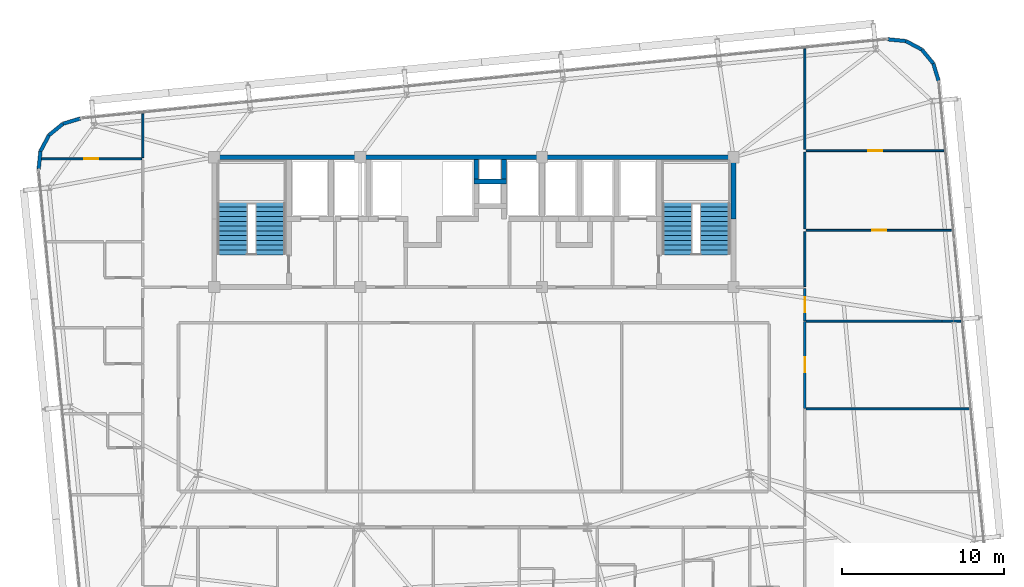
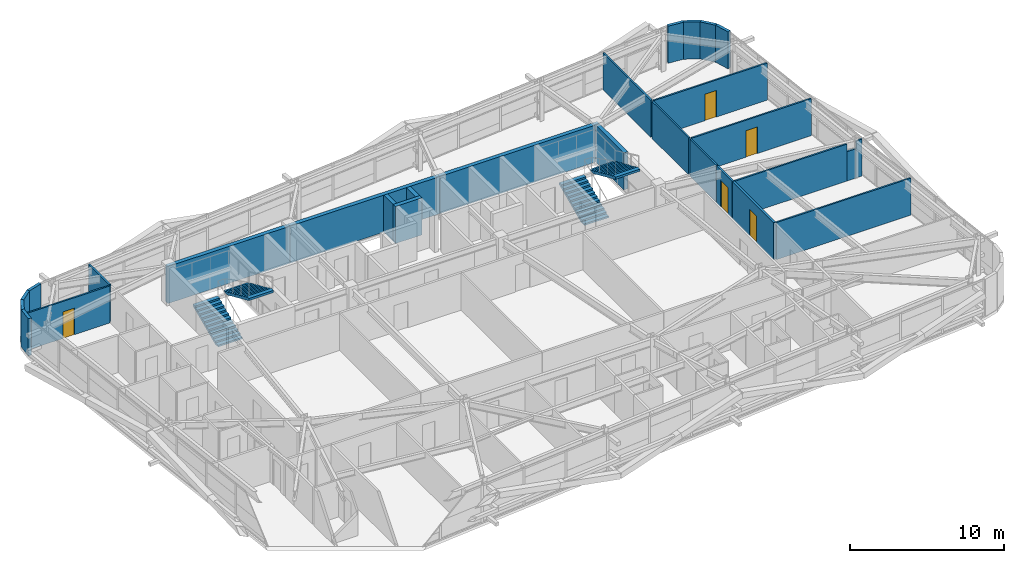
# One storey, part 50 of 53: 28 walls, 5 doors, 4 stair flights, 5 openings, 2 elements without a shape of their own.
"""IFC4 building model written with IfcOpenShell, lengths in metres."""

from ifc_helpers import new_model, si_unit, direction, frame, frame_2d, origin, place, context, subcontext, project, spatial, polyline, rectangle, outline, extrude, source, transform, mapped, material, layer, layer_set, type_object, element, fill, aggregate, save


model = new_model("IFC4")

# Units and contexts
model_context = context("Model", 3, precision=1e-05, world=origin(), true_north=direction((0.0, 1.0)))
body_context = subcontext(model_context, "Body", "Model", "MODEL_VIEW")
ifc_project = project(units=[si_unit("LENGTHUNIT", "METRE"), si_unit("AREAUNIT", "SQUARE_METRE"), si_unit("VOLUMEUNIT", "CUBIC_METRE"), si_unit("PLANEANGLEUNIT", "RADIAN"), si_unit("MASSUNIT", "GRAM", prefix="KILO")], contexts=[model_context])

# Site, building, storey
site_placement = place(None, origin())
site = spatial("IfcSite", under=ifc_project, at=site_placement, CompositionType="ELEMENT")
building_placement = place(site_placement, origin())
building = spatial("IfcBuilding", under=site, at=building_placement, Name="Taldren Reach Tower", CompositionType="ELEMENT")
storey_placement = place(building_placement, frame((0.0, 0.0, 68.25)))
storey = spatial("IfcBuildingStorey", under=building, at=storey_placement, Name="L20", CompositionType="ELEMENT", Elevation=68.25)

# Walls
ifc_material_1 = material(Name="Pale Champagne Anodised Aluminium Cladding", Category="aluminium")
ifc_layer_1 = layer(ifc_material_1, 0.04, Name="Pale Champagne Anodised Aluminium Cladding", Category="aluminium")
ifc_material_2 = material(Name="Mineral Wool Acoustic Insulation", Category="insulation")
ifc_layer_2 = layer(ifc_material_2, 0.06, Name="Mineral Wool Acoustic Insulation", Category="insulation")
ifc_material_3 = material(Name="Steel Gr 350 (C350L0)", Category="steel")
ifc_layer_3 = layer(ifc_material_3, 0.12, Name="Steel Gr 350 (C350L0)", Category="steel")
ifc_layer_set_1 = layer_set([ifc_layer_1, ifc_layer_2, ifc_layer_3], Name="Pale Champagne Aluminium Cladding and Steel Gr 350 Stud Framing")
wall_type_1 = type_object("IfcWallType", Name="EW-CRN-220", PredefinedType="SOLIDWALL", material=ifc_layer_set_1)
shared_shape_1 = source(origin(), body_context, "Body", "SweptSolid", [
    extrude(rectangle(XDim=1.115966796875, YDim=0.219970703125, at=frame_2d((0.55810546875, 0.0))), origin(), (0.0, 0.0, 1.0), 2.929931640625),
])
for number, where, z_axis, x_axis, name in (
    (1, (63.6376953125, 36.6982421875, 0.0), (0.0, 0.0, 1.0), (-0.289855603468, 0.957070388811, 0.0), "Rounded-corner pale-metal facade wall L20-NE1"),
    (2, (62.606689453125, 38.629150390625, 0.0), (0.0, 0.0, 1.0), (-0.881655534635, 0.471893545461, 0.0), "Rounded-corner pale-metal facade wall L20-NE3"),
    (3, (61.622802734375, 39.15576171875, 0.0), (0.0, 0.0, 1.0), (-0.995142755671, 0.09844234778, 0.0), "Rounded-corner pale-metal facade wall L20-NE4"),
    (4, (10.7509765625, 34.386474609375, 0.0), (0.0, 0.0, 1.0), (-0.957070388811, -0.289855603468, 0.0), "Rounded-corner pale-metal facade wall L20-NW1"),
):
    element("IfcWall", number, at=place(storey_placement, frame(where, z_axis=z_axis, x_axis=x_axis)), inside=storey, type_object=wall_type_1, Name=name, PredefinedType="SOLIDWALL", context=body_context, shape_type="MappedRepresentation", body=[
        mapped(shared_shape_1, transform((0.0, 0.0, 0.0), scale=1.0)),
    ])
shared_shape_2 = source(origin(), body_context, "Body", "SweptSolid", [
    extrude(rectangle(XDim=1.11572265625, YDim=0.219970703125, at=frame_2d((0.557861328125, 0.0))), origin(), (0.0, 0.0, 1.0), 2.929931640625),
])
for number, where, z_axis, x_axis, name in (
    (5, (63.314208984375, 37.766357421875, 0.0), (0.0, 0.0, 1.0), (-0.634095287989, 0.773254916409, 0.0), "Rounded-corner pale-metal facade wall L20-NE2"),
    (6, (9.682861328125, 34.06298828125, 0.0), (0.0, 0.0, 1.0), (-0.773254916409, -0.634095287989, 0.0), "Rounded-corner pale-metal facade wall L20-NW2"),
    (7, (8.29345703125, 32.371337890625, 0.0), (0.0, 0.0, 1.0), (-0.098463783145, -0.99514063499, 0.0), "Rounded-corner pale-metal facade wall L20-NW4"),
):
    element("IfcWall", number, at=place(storey_placement, frame(where, z_axis=z_axis, x_axis=x_axis)), inside=storey, type_object=wall_type_1, Name=name, PredefinedType="SOLIDWALL", context=body_context, shape_type="MappedRepresentation", body=[
        mapped(shared_shape_2, transform((0.0, 0.0, 0.0), scale=1.0)),
    ])
shared_shape_3 = source(origin(), body_context, "Body", "SweptSolid", [
    extrude(rectangle(XDim=1.1162109375, YDim=0.219970703125, at=frame_2d((0.55810546875, 0.0))), origin(), (0.0, 0.0, 1.0), 2.929931640625),
])
wall_1_placement = place(storey_placement, frame((8.820068359375, 33.35546875, 0.0), z_axis=(0.0, 0.0, 1.0), x_axis=(-0.471802540493, -0.881704237704, 0.0)))
element("IfcWall", 8, at=wall_1_placement, inside=storey, type_object=wall_type_1, Name="Rounded-corner pale-metal facade wall L20-NW3", PredefinedType="SOLIDWALL", context=body_context, shape_type="MappedRepresentation", body=[
    mapped(shared_shape_3, transform((0.0, 0.0, 0.0), scale=1.0)),
])

# Wall, opening, door
ifc_material_4 = material(Name="Fire-Rated Acoustic Plasterboard Stud Wall", Category="gypsum")
ifc_layer_4 = layer(ifc_material_4, 0.159912109375)
ifc_layer_set_2 = layer_set([ifc_layer_4], Name="Fire-Rated Acoustic Plasterboard Stud Wall")
wall_type_2 = type_object("IfcWallType", Name="IW-FIRE-160", PredefinedType="PARTITIONING", material=ifc_layer_set_2)
shared_shape_4 = source(origin(), body_context, "Body", "SweptSolid", [
    extrude(rectangle(XDim=5.359619140625, YDim=0.159912109375, at=frame_2d((2.6796875, 0.0))), origin(), (0.0, 0.0, 1.0), 2.929931640625),
])
wall_2_placement = place(storey_placement, frame((55.39990234375, 21.8798828125, 0.0), z_axis=(0.0, 0.0, 1.0), x_axis=(0.0, -1.0, 0.0)))
wall_2 = element("IfcWall", 9, at=wall_2_placement, inside=storey, type_object=wall_type_2, Name="Interior Partition Wall W-INT-L20-061", PredefinedType="PARTITIONING", context=body_context, shape_type="MappedRepresentation", body=[
    mapped(shared_shape_4, transform((0.0, 0.0, 0.0), scale=1.0)),
])
shared_shape_5 = source(origin(), body_context, "Body", "SweptSolid", [
    extrude(rectangle(XDim=0.919921875, YDim=2.10009765625, at=frame_2d((0.4599609375, 1.050048828125))), frame((0.0, 0.08984375, 0.0), z_axis=(0.0, -1.0, 0.0), x_axis=(1.0, 0.0, 0.0)), (0.0, 0.0, 1.0), 0.179931640625),
])
opening_1_placement = place(wall_2_placement, frame((2.2197265625, 0.0, 0.0)))
opening_1 = element("IfcOpeningElement", 10, at=opening_1_placement, cuts=wall_2, Name="Opening DI-092", PredefinedType="OPENING", context=body_context, shape_type="MappedRepresentation", body=[
    mapped(shared_shape_5, transform((0.0, 0.0, 0.0), scale=1.0)),
])
ifc_material_5 = material(Name="Solid-Core Timber Suite Door", Category="wood")
door_type_1 = type_object("IfcDoorType", Name="ID-INT-092", OperationType="NOTDEFINED", PredefinedType="DOOR", material=ifc_material_5)
shared_shape_6 = source(origin(), body_context, "Body", "SweptSolid", [
    extrude(rectangle(XDim=0.919921875, YDim=2.10009765625, at=frame_2d((0.4599609375, 1.050048828125))), frame((0.0, 0.02490234375, 0.0), z_axis=(0.0, -1.0, 0.0), x_axis=(1.0, 0.0, 0.0)), (0.0, 0.0, 1.0), 0.050048828125),
])
door_1_placement = place(opening_1_placement, origin())
door_1 = element("IfcDoor", 11, at=door_1_placement, inside=storey, type_object=door_type_1, Name="Interior Door DR-L20-020", OperationType="SINGLE_SWING_LEFT", OverallHeight=2.10009765625, OverallWidth=0.919921875, PredefinedType="DOOR", context=body_context, shape_type="MappedRepresentation", body=[
    mapped(shared_shape_6, transform((0.0, 0.0, 0.0), scale=1.0)),
])
fill(opening_1, door_1)

shared_shape_7 = source(origin(), body_context, "Body", "SweptSolid", [
    extrude(rectangle(XDim=1.999755859375, YDim=0.159912109375, at=frame_2d((1.0, 0.0))), origin(), (0.0, 0.0, 1.0), 2.929931640625),
])
wall_3_placement = place(storey_placement, frame((55.39990234375, 23.919921875, 0.0), z_axis=(0.0, 0.0, 1.0), x_axis=(0.0, -1.0, 0.0)))
wall_3 = element("IfcWall", 12, at=wall_3_placement, inside=storey, type_object=wall_type_2, Name="Interior Partition Wall W-INT-L20-062", PredefinedType="PARTITIONING", context=body_context, shape_type="MappedRepresentation", body=[
    mapped(shared_shape_7, transform((0.0, 0.0, 0.0), scale=1.0)),
])
opening_2_placement = place(wall_3_placement, frame((0.539794921875, 0.0, 0.0)))
opening_2 = element("IfcOpeningElement", 13, at=opening_2_placement, cuts=wall_3, Name="Opening DI-092", PredefinedType="OPENING", context=body_context, shape_type="MappedRepresentation", body=[
    mapped(shared_shape_5, transform((0.0, 0.0, 0.0), scale=1.0)),
])
door_2_placement = place(opening_2_placement, origin())
door_2 = element("IfcDoor", 14, at=door_2_placement, inside=storey, type_object=door_type_1, Name="Interior Door DR-L20-021", OperationType="SINGLE_SWING_RIGHT", OverallHeight=2.10009765625, OverallWidth=0.919921875, PredefinedType="DOOR", context=body_context, shape_type="MappedRepresentation", body=[
    mapped(shared_shape_6, transform((0.0, 0.0, 0.0), scale=1.0)),
])
fill(opening_2, door_2)

# Walls
ifc_material_6 = material(Name="Insulated Residential Stud Partition", Category="gypsum")
ifc_layer_5 = layer(ifc_material_6, 0.1201171875)
ifc_layer_set_3 = layer_set([ifc_layer_5], Name="Insulated Residential Stud Partition")
wall_type_3 = type_object("IfcWallType", Name="IW-PART-120", PredefinedType="PARTITIONING", material=ifc_layer_set_3)
shared_shape_8 = source(origin(), body_context, "Body", "SweptSolid", [
    extrude(rectangle(XDim=4.739990234375, YDim=0.1201171875, at=frame_2d((2.3701171875, 0.0))), origin(), (0.0, 0.0, 1.0), 2.929931640625),
])
wall_4_placement = place(storey_placement, frame((55.39990234375, 27.580078125, 0.0), z_axis=(0.0, 0.0, 1.0), x_axis=(0.0, 1.0, 0.0)))
element("IfcWall", 15, at=wall_4_placement, inside=storey, type_object=wall_type_3, Name="Interior Partition Wall W-INT-L20-138", PredefinedType="PARTITIONING", context=body_context, shape_type="MappedRepresentation", body=[
    mapped(shared_shape_8, transform((0.0, 0.0, 0.0), scale=1.0)),
])
ifc_material_7 = material(Name="Concrete S65 (65 MPa)", Category="concrete")
ifc_layer_6 = layer(ifc_material_7, 0.300048828125)
ifc_layer_set_4 = layer_set([ifc_layer_6], Name="Concrete S65 (65 MPa)")
wall_type_4 = type_object("IfcWallType", Name="IW-CORE-300", PredefinedType="SHEAR", material=ifc_layer_set_4)
shared_shape_9 = source(origin(), body_context, "Body", "SweptSolid", [
    extrude(rectangle(XDim=9.14990234375, YDim=0.300048828125, at=frame_2d((4.574951171875, 0.0))), origin(), (0.0, 0.0, 1.0), 2.929931640625),
])
wall_5_placement = place(storey_placement, frame((18.85009765625, 32.0, 0.0), z_axis=(0.0, 0.0, 1.0), x_axis=(1.0, 0.0, 0.0)))
element("IfcWall", 16, at=wall_5_placement, inside=storey, type_object=wall_type_4, Name="Rear Core Shear Wall W-CORE-L20-NORTH1", PredefinedType="SHEAR", context=body_context, shape_type="MappedRepresentation", body=[
    mapped(shared_shape_9, transform((0.0, 0.0, 0.0), scale=1.0)),
])
shared_shape_10 = source(origin(), body_context, "Body", "SweptSolid", [
    extrude(rectangle(XDim=11.199951171875, YDim=0.300048828125, at=frame_2d((5.60009765625, 0.0))), origin(), (0.0, 0.0, 1.0), 2.929931640625),
])
wall_6_placement = place(storey_placement, frame((28.0, 32.0, 0.0), z_axis=(0.0, 0.0, 1.0), x_axis=(1.0, 0.0, 0.0)))
element("IfcWall", 17, at=wall_6_placement, inside=storey, type_object=wall_type_4, Name="Rear Core Shear Wall W-CORE-L20-NORTH2", PredefinedType="SHEAR", context=body_context, shape_type="MappedRepresentation", body=[
    mapped(shared_shape_10, transform((0.0, 0.0, 0.0), scale=1.0)),
])
shared_shape_11 = source(origin(), body_context, "Body", "SweptSolid", [
    extrude(rectangle(XDim=11.949951171875, YDim=0.300048828125, at=frame_2d((5.97509765625, 0.0))), origin(), (0.0, 0.0, 1.0), 2.929931640625),
])
wall_7_placement = place(storey_placement, frame((39.199951171875, 32.0, 0.0), z_axis=(0.0, 0.0, 1.0), x_axis=(1.0, 0.0, 0.0)))
element("IfcWall", 18, at=wall_7_placement, inside=storey, type_object=wall_type_4, Name="Rear Core Shear Wall W-CORE-L20-NORTH3", PredefinedType="SHEAR", context=body_context, shape_type="MappedRepresentation", body=[
    mapped(shared_shape_11, transform((0.0, 0.0, 0.0), scale=1.0)),
])
shared_shape_12 = source(origin(), body_context, "Body", "SweptSolid", [
    extrude(rectangle(XDim=3.650146484375, YDim=0.300048828125, at=frame_2d((1.8251953125, 0.0))), origin(), (0.0, 0.0, 1.0), 2.929931640625),
])
wall_8_placement = place(storey_placement, frame((51.0, 28.199951171875, 0.0), z_axis=(0.0, 0.0, 1.0), x_axis=(0.0, 1.0, 0.0)))
element("IfcWall", 19, at=wall_8_placement, inside=storey, type_object=wall_type_4, Name="Rear Core Shear Wall W-CORE-L20-EAST2", PredefinedType="SHEAR", context=body_context, shape_type="MappedRepresentation", body=[
    mapped(shared_shape_12, transform((0.0, 0.0, 0.0), scale=1.0)),
])
shared_shape_13 = source(origin(), body_context, "Body", "SweptSolid", [
    extrude(rectangle(XDim=2.0, YDim=0.300048828125, at=frame_2d((1.0, 0.0))), origin(), (0.0, 0.0, 1.0), 2.929931640625),
])
wall_9_placement = place(storey_placement, frame((35.0, 30.5, 0.0), z_axis=(0.0, 0.0, 1.0), x_axis=(1.0, 0.0, 0.0)))
element("IfcWall", 20, at=wall_9_placement, inside=storey, type_object=wall_type_4, Name="Rear Core Shear Wall W-INT-L20-015", PredefinedType="SHEAR", context=body_context, shape_type="MappedRepresentation", body=[
    mapped(shared_shape_13, transform((0.0, 0.0, 0.0), scale=1.0)),
])
shared_shape_14 = source(origin(), body_context, "Body", "SweptSolid", [
    extrude(rectangle(XDim=1.2001953125, YDim=0.300048828125, at=frame_2d((0.60009765625, 0.0))), origin(), (0.0, 0.0, 1.0), 2.929931640625),
])
for number, where, z_axis, x_axis, name in (
    (21, (35.14990234375, 31.85009765625, 0.0), (0.0, 0.0, 1.0), (0.0, -1.0, 0.0), "Rear Core Shear Wall W-INT-L20-016"),
    (22, (36.85009765625, 30.64990234375, 0.0), (0.0, 0.0, 1.0), (0.0, 1.0, 0.0), "Rear Core Shear Wall W-INT-L20-017"),
):
    element("IfcWall", number, at=place(storey_placement, frame(where, z_axis=z_axis, x_axis=x_axis)), inside=storey, type_object=wall_type_4, Name=name, PredefinedType="SHEAR", context=body_context, shape_type="MappedRepresentation", body=[
        mapped(shared_shape_14, transform((0.0, 0.0, 0.0), scale=1.0)),
    ])

# Wall, opening, door
shared_shape_15 = source(origin(), body_context, "Body", "SweptSolid", [
    extrude(rectangle(XDim=6.18798828125, YDim=0.1201171875, at=frame_2d((3.093994140625, 0.0))), origin(), (0.0, 0.0, 1.0), 2.929931640625),
])
wall_10_placement = place(storey_placement, frame((8.33203125, 31.89990234375, 0.0), z_axis=(0.0, 0.0, 1.0), x_axis=(1.0, 0.0, 0.0)))
wall_10 = element("IfcWall", 23, at=wall_10_placement, inside=storey, type_object=wall_type_3, Name="Interior Partition Wall W-INT-L20-129", PredefinedType="PARTITIONING", context=body_context, shape_type="MappedRepresentation", body=[
    mapped(shared_shape_15, transform((0.0, 0.0, 0.0), scale=1.0)),
])
shared_shape_16 = source(origin(), body_context, "Body", "SweptSolid", [
    extrude(rectangle(XDim=0.860107421875, YDim=2.10009765625, at=frame_2d((0.43017578125, 1.050048828125))), frame((0.0, 0.070068359375, 0.0), z_axis=(0.0, -1.0, 0.0), x_axis=(1.0, 0.0, 0.0)), (0.0, 0.0, 1.0), 0.14013671875),
])
opening_3_placement = place(wall_10_placement, frame((2.663818359375, 0.0, 0.0)))
opening_3 = element("IfcOpeningElement", 24, at=opening_3_placement, cuts=wall_10, Name="Opening DI-086", PredefinedType="OPENING", context=body_context, shape_type="MappedRepresentation", body=[
    mapped(shared_shape_16, transform((0.0, 0.0, 0.0), scale=1.0)),
])
ifc_material_8 = material(Name="Timber Bathroom Door", Category="wood")
door_type_2 = type_object("IfcDoorType", Name="ID-INT-086", OperationType="NOTDEFINED", PredefinedType="DOOR", material=ifc_material_8)
shared_shape_17 = source(origin(), body_context, "Body", "SweptSolid", [
    extrude(rectangle(XDim=0.860107421875, YDim=2.10009765625, at=frame_2d((0.43017578125, 1.050048828125))), frame((0.0, 0.02490234375, 0.0), z_axis=(0.0, -1.0, 0.0), x_axis=(1.0, 0.0, 0.0)), (0.0, 0.0, 1.0), 0.050048828125),
])
door_3_placement = place(opening_3_placement, origin())
door_3 = element("IfcDoor", 25, at=door_3_placement, inside=storey, type_object=door_type_2, Name="Interior Door DR-L20-039", OperationType="SINGLE_SWING_RIGHT", OverallHeight=2.10009765625, OverallWidth=0.860107421875, PredefinedType="DOOR", context=body_context, shape_type="MappedRepresentation", body=[
    mapped(shared_shape_17, transform((0.0, 0.0, 0.0), scale=1.0)),
])
fill(opening_3, door_3)

# Walls
shared_shape_18 = source(origin(), body_context, "Body", "SweptSolid", [
    extrude(rectangle(XDim=2.685546875, YDim=0.1201171875, at=frame_2d((1.3427734375, 0.0))), origin(), (0.0, 0.0, 1.0), 2.929931640625),
])
wall_11_placement = place(storey_placement, frame((14.60009765625, 34.66552734375, 0.0), z_axis=(0.0, 0.0, 1.0), x_axis=(0.0, -1.0, 0.0)))
element("IfcWall", 26, at=wall_11_placement, inside=storey, type_object=wall_type_3, Name="Interior Partition Wall W-INT-L20-131", PredefinedType="PARTITIONING", context=body_context, shape_type="MappedRepresentation", body=[
    mapped(shared_shape_18, transform((0.0, 0.0, 0.0), scale=1.0)),
])
shared_shape_19 = source(origin(), body_context, "Body", "SweptSolid", [
    extrude(rectangle(XDim=10.0556640625, YDim=0.1201171875, at=frame_2d((5.02783203125, 0.0))), origin(), (0.0, 0.0, 1.0), 2.929931640625),
])
wall_12_placement = place(storey_placement, frame((55.47998046875, 16.5, 0.0), z_axis=(0.0, 0.0, 1.0), x_axis=(1.0, 0.0, 0.0)))
element("IfcWall", 27, at=wall_12_placement, inside=storey, type_object=wall_type_3, Name="Interior Partition Wall W-INT-L20-133", PredefinedType="PARTITIONING", context=body_context, shape_type="MappedRepresentation", body=[
    mapped(shared_shape_19, transform((0.0, 0.0, 0.0), scale=1.0)),
])
shared_shape_20 = source(origin(), body_context, "Body", "SweptSolid", [
    extrude(rectangle(XDim=8.37890625, YDim=0.1201171875, at=frame_2d((4.189453125, 0.0))), origin(), (0.0, 0.0, 1.0), 2.929931640625),
])
wall_13_placement = place(storey_placement, frame((55.47998046875, 21.89990234375, 0.0), z_axis=(0.0, 0.0, 1.0), x_axis=(1.0, 0.0, 0.0)))
element("IfcWall", 28, at=wall_13_placement, inside=storey, type_object=wall_type_3, Name="Interior Partition Wall W-INT-L20-134", PredefinedType="PARTITIONING", context=body_context, shape_type="MappedRepresentation", body=[
    mapped(shared_shape_20, transform((0.0, 0.0, 0.0), scale=1.0)),
])
shared_shape_21 = source(origin(), body_context, "Body", "SweptSolid", [
    extrude(rectangle(XDim=0.709228515625, YDim=0.1201171875, at=frame_2d((0.3544921875, 0.0))), origin(), (0.0, 0.0, 1.0), 2.327880859375),
])
wall_14_placement = place(storey_placement, frame((63.85888671875, 21.89990234375, 0.0), z_axis=(0.0, 0.0, 1.0), x_axis=(1.0, 0.0, 0.0)))
element("IfcWall", 29, at=wall_14_placement, inside=storey, type_object=wall_type_3, Name="Interior Partition Wall W-INT-L20-134 part 2", PredefinedType="PARTITIONING", context=body_context, shape_type="MappedRepresentation", body=[
    mapped(shared_shape_21, transform((0.0, 0.0, 0.0), scale=1.0)),
])
shared_shape_22 = source(origin(), body_context, "Body", "SweptSolid", [
    extrude(rectangle(XDim=0.43798828125, YDim=0.1201171875, at=frame_2d((0.218994140625, 0.0))), origin(), (0.0, 0.0, 1.0), 2.929931640625),
])
wall_15_placement = place(storey_placement, frame((64.568115234375, 21.89990234375, 0.0), z_axis=(0.0, 0.0, 1.0), x_axis=(1.0, 0.0, 0.0)))
element("IfcWall", 30, at=wall_15_placement, inside=storey, type_object=wall_type_3, Name="Interior Partition Wall W-INT-L20-134 part 3", PredefinedType="PARTITIONING", context=body_context, shape_type="MappedRepresentation", body=[
    mapped(shared_shape_22, transform((0.0, 0.0, 0.0), scale=1.0)),
])

# Wall, opening, door
shared_shape_23 = source(origin(), body_context, "Body", "SweptSolid", [
    extrude(rectangle(XDim=8.97705078125, YDim=0.1201171875, at=frame_2d((4.488525390625, 0.0))), origin(), (0.0, 0.0, 1.0), 2.929931640625),
])
wall_16_placement = place(storey_placement, frame((55.47998046875, 27.5, 0.0), z_axis=(0.0, 0.0, 1.0), x_axis=(1.0, 0.0, 0.0)))
wall_16 = element("IfcWall", 31, at=wall_16_placement, inside=storey, type_object=wall_type_3, Name="Interior Partition Wall W-INT-L20-135", PredefinedType="PARTITIONING", context=body_context, shape_type="MappedRepresentation", body=[
    mapped(shared_shape_23, transform((0.0, 0.0, 0.0), scale=1.0)),
])
opening_4_placement = place(wall_16_placement, frame((4.05859375, 0.0, 0.0)))
opening_4 = element("IfcOpeningElement", 32, at=opening_4_placement, cuts=wall_16, Name="Opening DI-086", PredefinedType="OPENING", context=body_context, shape_type="MappedRepresentation", body=[
    mapped(shared_shape_16, transform((0.0, 0.0, 0.0), scale=1.0)),
])
door_4_placement = place(opening_4_placement, origin())
door_4 = element("IfcDoor", 33, at=door_4_placement, inside=storey, type_object=door_type_2, Name="Interior Door DR-L20-040", OperationType="SINGLE_SWING_LEFT", OverallHeight=2.10009765625, OverallWidth=0.860107421875, PredefinedType="DOOR", context=body_context, shape_type="MappedRepresentation", body=[
    mapped(shared_shape_17, transform((0.0, 0.0, 0.0), scale=1.0)),
])
fill(opening_4, door_4)

# Wall
shared_shape_24 = source(origin(), body_context, "Body", "SweptSolid", [
    extrude(rectangle(XDim=3.399658203125, YDim=0.1201171875, at=frame_2d((1.69970703125, 0.0))), origin(), (0.0, 0.0, 1.0), 2.929931640625),
])
wall_17_placement = place(storey_placement, frame((55.39990234375, 24.020263671875, 0.0), z_axis=(0.0, 0.0, 1.0), x_axis=(0.0, 1.0, 0.0)))
element("IfcWall", 34, at=wall_17_placement, inside=storey, type_object=wall_type_3, Name="Interior Partition Wall W-INT-L20-136", PredefinedType="PARTITIONING", context=body_context, shape_type="MappedRepresentation", body=[
    mapped(shared_shape_24, transform((0.0, 0.0, 0.0), scale=1.0)),
])

# Wall, opening, door
shared_shape_25 = source(origin(), body_context, "Body", "SweptSolid", [
    extrude(rectangle(XDim=8.49658203125, YDim=0.1201171875, at=frame_2d((4.248291015625, 0.0))), origin(), (0.0, 0.0, 1.0), 2.929931640625),
])
wall_18_placement = place(storey_placement, frame((55.47998046875, 32.39990234375, 0.0), z_axis=(0.0, 0.0, 1.0), x_axis=(1.0, 0.0, 0.0)))
wall_18 = element("IfcWall", 35, at=wall_18_placement, inside=storey, type_object=wall_type_3, Name="Interior Partition Wall W-INT-L20-137", PredefinedType="PARTITIONING", context=body_context, shape_type="MappedRepresentation", body=[
    mapped(shared_shape_25, transform((0.0, 0.0, 0.0), scale=1.0)),
])
opening_5_placement = place(wall_18_placement, frame((3.818359375, 0.0, 0.0)))
opening_5 = element("IfcOpeningElement", 36, at=opening_5_placement, cuts=wall_18, Name="Opening DI-086", PredefinedType="OPENING", context=body_context, shape_type="MappedRepresentation", body=[
    mapped(shared_shape_16, transform((0.0, 0.0, 0.0), scale=1.0)),
])
door_5_placement = place(opening_5_placement, frame((0.860107421875, 0.0, 0.0), z_axis=(0.0, 0.0, 1.0), x_axis=(-1.0, 0.0, 0.0)))
door_5 = element("IfcDoor", 37, at=door_5_placement, inside=storey, type_object=door_type_2, Name="Interior Door DR-L20-041", OperationType="SINGLE_SWING_LEFT", OverallHeight=2.10009765625, OverallWidth=0.860107421875, PredefinedType="DOOR", context=body_context, shape_type="MappedRepresentation", body=[
    mapped(shared_shape_17, transform((0.0, 0.0, 0.0), scale=1.0)),
])
fill(opening_5, door_5)

# Wall
shared_shape_26 = source(origin(), body_context, "Body", "SweptSolid", [
    extrude(rectangle(XDim=6.20166015625, YDim=0.1201171875, at=frame_2d((3.100830078125, 0.0))), origin(), (0.0, 0.0, 1.0), 2.929931640625),
])
wall_19_placement = place(storey_placement, frame((55.39990234375, 32.47998046875, 0.0), z_axis=(0.0, 0.0, 1.0), x_axis=(0.0, 1.0, 0.0)))
element("IfcWall", 38, at=wall_19_placement, inside=storey, type_object=wall_type_3, Name="Interior Partition Wall W-INT-L20-139", PredefinedType="PARTITIONING", context=body_context, shape_type="MappedRepresentation", body=[
    mapped(shared_shape_26, transform((0.0, 0.0, 0.0), scale=1.0)),
])

# Stair, stair flights
ifc_material_9 = material(Name="Concrete S50 (50 MPa)", Category="concrete")
stair_type = type_object("IfcStairType", Name="ST-HT-315", PredefinedType="HALF_TURN_STAIR", material=ifc_material_9)
stair_1_placement = place(storey_placement, origin())
stair_1 = element("IfcStair", 39, at=stair_1_placement, inside=storey, type_object=stair_type, Name="Fire-isolated exit stair ST1 L20", PredefinedType="HALF_TURN_STAIR")
stair_flight_type = type_object("IfcStairFlightType", Name="SF-STR-315", PredefinedType="STRAIGHT", material=ifc_material_9)
stair_flight_1_placement = place(storey_placement, frame((20.139892578125, 25.989990234375, 0.0), z_axis=(0.0, 0.0, 1.0), x_axis=(0.0, 1.0, 0.0)))
stair_flight_1 = element("IfcStairFlight", 40, at=stair_flight_1_placement, type_object=stair_flight_type, Name="ST1 flight 1", NumberOfRisers=12, NumberOfTreads=11, PredefinedType="STRAIGHT", RiserHeight=0.13125, TreadLength=0.295, context=body_context, shape_type="SweptSolid", body=[
    extrude(outline(polyline([(0.0, 0.0), (0.0, 0.13134765625), (0.294921875, 0.13134765625), (0.294921875, 0.262451171875), (0.590087890625, 0.262451171875), (0.590087890625, 0.393798828125), (0.885009765625, 0.393798828125), (0.885009765625, 0.52490234375), (1.179931640625, 0.52490234375), (1.179931640625, 0.65625), (1.47509765625, 0.65625), (1.47509765625, 0.78759765625), (1.77001953125, 0.78759765625), (1.77001953125, 0.918701171875), (2.06494140625, 0.918701171875), (2.06494140625, 1.050048828125), (2.360107421875, 1.050048828125), (2.360107421875, 1.18115234375), (2.655029296875, 1.18115234375), (2.655029296875, 1.3125), (2.949951171875, 1.3125), (2.949951171875, 1.44384765625), (3.2451171875, 1.44384765625), (3.2451171875, 1.574951171875), (3.2451171875, 1.268798828125), (0.393310546875, 0.0), (0.0, 0.0)])), frame((0.0, 0.919921875, 0.0), z_axis=(0.0, -1.0, 0.0), x_axis=(1.0, 0.0, 0.0)), (0.0, 0.0, 1.0), 1.840087890625),
])
stair_flight_2_placement = place(storey_placement, frame((22.4599609375, 29.235107421875, 1.574951171875), z_axis=(0.0, 0.0, 1.0), x_axis=(0.0, -1.0, 0.0)))
stair_flight_2 = element("IfcStairFlight", 41, at=stair_flight_2_placement, type_object=stair_flight_type, Name="ST1 flight 2", NumberOfRisers=12, NumberOfTreads=11, PredefinedType="STRAIGHT", RiserHeight=0.13125, TreadLength=0.295, context=body_context, shape_type="SweptSolid", body=[
    extrude(outline(polyline([(0.0, 0.0), (0.0, 0.13134765625), (0.294921875, 0.13134765625), (0.294921875, 0.262451171875), (0.590087890625, 0.262451171875), (0.590087890625, 0.393798828125), (0.885009765625, 0.393798828125), (0.885009765625, 0.52490234375), (1.179931640625, 0.52490234375), (1.179931640625, 0.65625), (1.47509765625, 0.65625), (1.47509765625, 0.78759765625), (1.77001953125, 0.78759765625), (1.77001953125, 0.918701171875), (2.06494140625, 0.918701171875), (2.06494140625, 1.050048828125), (2.360107421875, 1.050048828125), (2.360107421875, 1.18115234375), (2.655029296875, 1.18115234375), (2.655029296875, 1.3125), (2.949951171875, 1.3125), (2.949951171875, 1.44384765625), (3.2451171875, 1.44384765625), (3.2451171875, 1.574951171875), (3.2451171875, 1.268798828125), (0.393310546875, 0.0), (0.0, 0.0)])), frame((0.0, 0.919921875, 0.0), z_axis=(0.0, -1.0, 0.0), x_axis=(1.0, 0.0, 0.0)), (0.0, 0.0, 1.0), 1.840087890625),
])
aggregate(stair_1, [stair_flight_1, stair_flight_2])

stair_2_placement = place(storey_placement, origin())
stair_2 = element("IfcStair", 42, at=stair_2_placement, inside=storey, type_object=stair_type, Name="Fire-isolated exit stair ST2 L20", PredefinedType="HALF_TURN_STAIR")
stair_flight_3_placement = place(storey_placement, frame((47.5400390625, 25.989990234375, 0.0), z_axis=(0.0, 0.0, 1.0), x_axis=(0.0, 1.0, 0.0)))
stair_flight_3 = element("IfcStairFlight", 43, at=stair_flight_3_placement, type_object=stair_flight_type, Name="ST2 flight 1", NumberOfRisers=12, NumberOfTreads=11, PredefinedType="STRAIGHT", RiserHeight=0.13125, TreadLength=0.295, context=body_context, shape_type="SweptSolid", body=[
    extrude(outline(polyline([(0.0, 0.0), (0.0, 0.13134765625), (0.294921875, 0.13134765625), (0.294921875, 0.262451171875), (0.590087890625, 0.262451171875), (0.590087890625, 0.393798828125), (0.885009765625, 0.393798828125), (0.885009765625, 0.52490234375), (1.179931640625, 0.52490234375), (1.179931640625, 0.65625), (1.47509765625, 0.65625), (1.47509765625, 0.78759765625), (1.77001953125, 0.78759765625), (1.77001953125, 0.918701171875), (2.06494140625, 0.918701171875), (2.06494140625, 1.050048828125), (2.360107421875, 1.050048828125), (2.360107421875, 1.18115234375), (2.655029296875, 1.18115234375), (2.655029296875, 1.3125), (2.949951171875, 1.3125), (2.949951171875, 1.44384765625), (3.2451171875, 1.44384765625), (3.2451171875, 1.574951171875), (3.2451171875, 1.268798828125), (0.393310546875, 0.0), (0.0, 0.0)])), frame((0.0, 0.919921875, 0.0), z_axis=(0.0, -1.0, 0.0), x_axis=(1.0, 0.0, 0.0)), (0.0, 0.0, 1.0), 1.840087890625),
])
stair_flight_4_placement = place(storey_placement, frame((49.860107421875, 29.235107421875, 1.574951171875), z_axis=(0.0, 0.0, 1.0), x_axis=(0.0, -1.0, 0.0)))
stair_flight_4 = element("IfcStairFlight", 44, at=stair_flight_4_placement, type_object=stair_flight_type, Name="ST2 flight 2", NumberOfRisers=12, NumberOfTreads=11, PredefinedType="STRAIGHT", RiserHeight=0.13125, TreadLength=0.295, context=body_context, shape_type="SweptSolid", body=[
    extrude(outline(polyline([(0.0, 0.0), (0.0, 0.13134765625), (0.294921875, 0.13134765625), (0.294921875, 0.262451171875), (0.590087890625, 0.262451171875), (0.590087890625, 0.393798828125), (0.885009765625, 0.393798828125), (0.885009765625, 0.52490234375), (1.179931640625, 0.52490234375), (1.179931640625, 0.65625), (1.47509765625, 0.65625), (1.47509765625, 0.78759765625), (1.77001953125, 0.78759765625), (1.77001953125, 0.918701171875), (2.06494140625, 0.918701171875), (2.06494140625, 1.050048828125), (2.360107421875, 1.050048828125), (2.360107421875, 1.18115234375), (2.655029296875, 1.18115234375), (2.655029296875, 1.3125), (2.949951171875, 1.3125), (2.949951171875, 1.44384765625), (3.2451171875, 1.44384765625), (3.2451171875, 1.574951171875), (3.2451171875, 1.268798828125), (0.393310546875, 0.0), (0.0, 0.0)])), frame((0.0, 0.919921875, 0.0), z_axis=(0.0, -1.0, 0.0), x_axis=(1.0, 0.0, 0.0)), (0.0, 0.0, 1.0), 1.840087890625),
])
aggregate(stair_2, [stair_flight_3, stair_flight_4])

save(model, "model.ifc")
